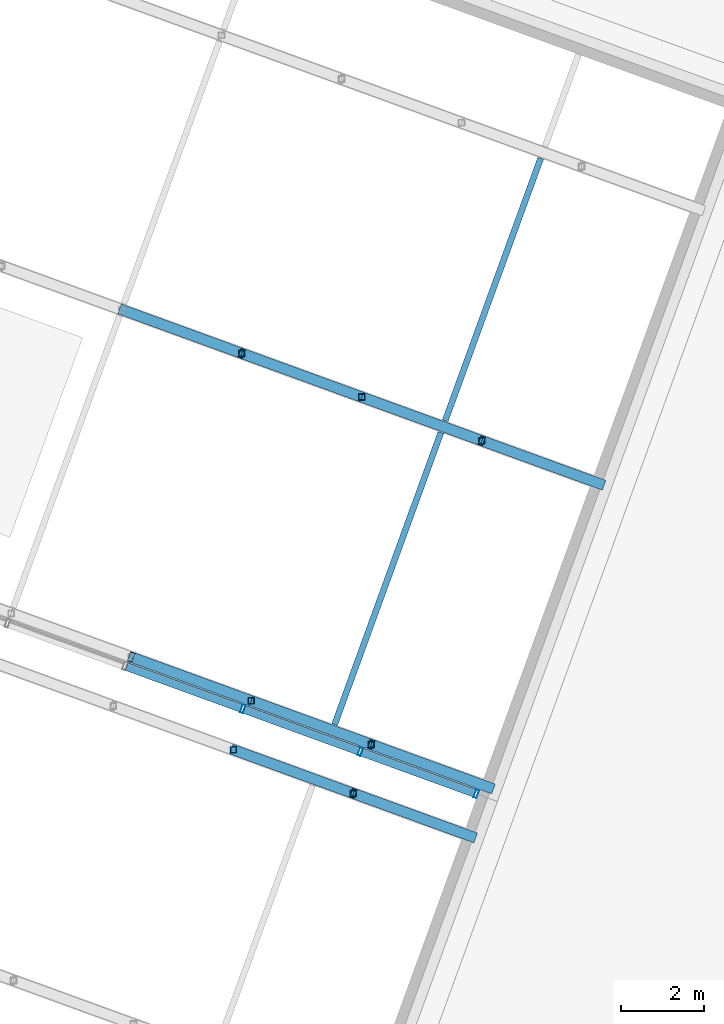
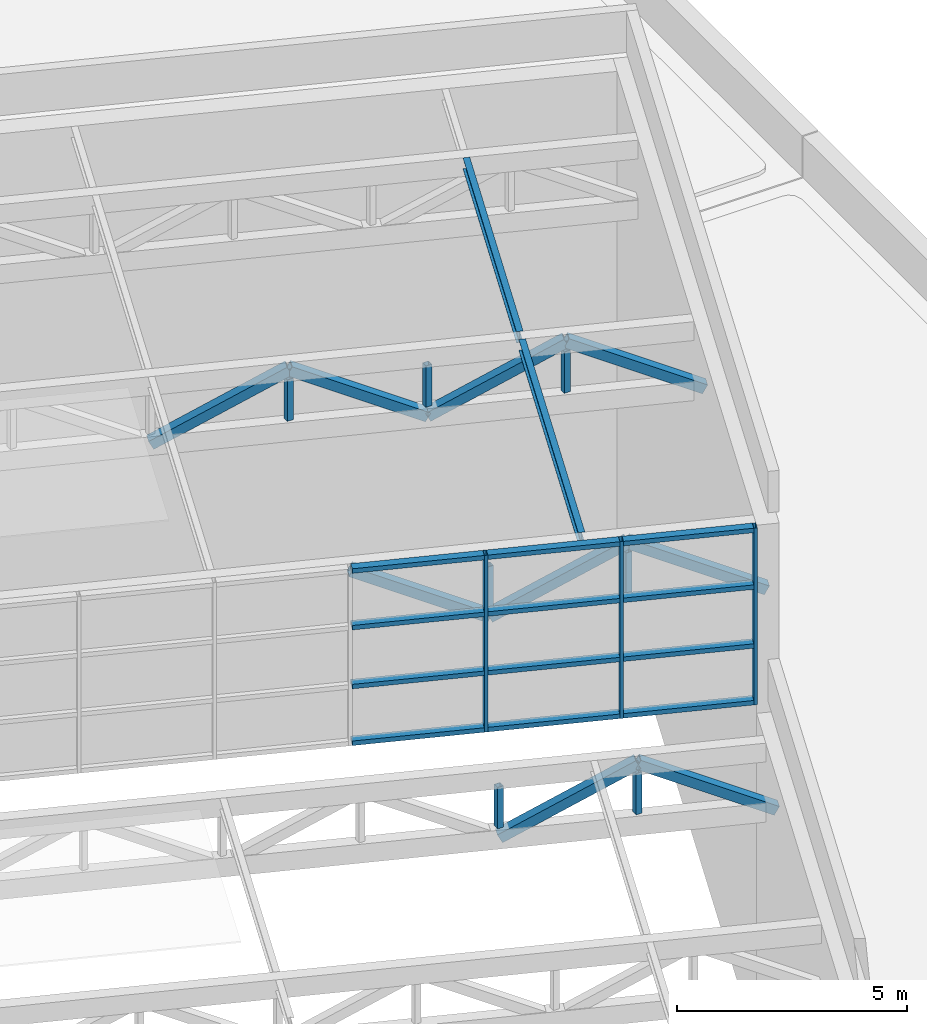
# One storey, part 40 of 72: 33 members, 1 element without a shape of its own.
"""IFC4 building model written with IfcOpenShell, lengths in metres."""

from ifc_helpers import new_model, si_unit, direction, frame, origin, origin_2d, place, context, subcontext, project, spatial, hollow_rectangle, i_section, extrude, material, layer, layer_set, material_profile, profile_set, type_object, element, aggregate, save


model = new_model("IFC4")

# Units and contexts
model_context = context("Model", 3, precision=1e-05, world=origin(), true_north=direction((0.0, 1.0)))
body_context = subcontext(model_context, "Body", "Model", "MODEL_VIEW")
ifc_project = project(units=[si_unit("LENGTHUNIT", "METRE"), si_unit("AREAUNIT", "SQUARE_METRE"), si_unit("VOLUMEUNIT", "CUBIC_METRE"), si_unit("PLANEANGLEUNIT", "RADIAN"), si_unit("MASSUNIT", "GRAM", prefix="KILO")], contexts=[model_context])

# Site, building, storey
site_placement = place(None, origin())
site = spatial("IfcSite", under=ifc_project, at=site_placement, CompositionType="ELEMENT")
building_placement = place(site_placement, origin())
building = spatial("IfcBuilding", under=site, at=building_placement, Name="Nzadi Deep Aquarium and Research Tower", CompositionType="ELEMENT")
storey_placement = place(building_placement, frame((0.0, 0.0, 31.89990234375)))
storey = spatial("IfcBuildingStorey", under=building, at=storey_placement, Name="L05", CompositionType="ELEMENT", Elevation=31.89990234375)

# Members
ifc_material_1 = material(Name="Steel S355", Category="steel")
ifc_material_profile_1 = material_profile(ifc_material_1, i_section(OverallWidth=0.14990234375, OverallDepth=0.300048828125, WebThickness=0.007080078125, FlangeThickness=0.0107421875, FilletRadius=0.014892578125, at=origin_2d()))
ifc_profile_set_1 = profile_set([ifc_material_profile_1], Name="Steel S355")
member_type_1 = type_object("IfcMemberType", Name="IPE 300", PredefinedType="PURLIN", material=ifc_profile_set_1)
member_1_placement = place(storey_placement, frame((36.642333984375, 67.771240234375, 13.650146484375), z_axis=(0.342024586087, 0.939691003741, 0.0), x_axis=(-0.939691003741, 0.342024586087, 0.0)))
element("IfcMember", 1, at=member_1_placement, inside=storey, type_object=member_type_1, Name="MB-PR-R2-PU3-1", PredefinedType="PURLIN", context=body_context, shape_type="SweptSolid", body=[
    extrude(i_section(OverallWidth=0.14990234375, OverallDepth=0.300048828125, WebThickness=0.007080078125, FlangeThickness=0.0107421875, FilletRadius=0.014892578125, at=origin_2d()), origin(), (0.0, 0.0, 1.0), 7.449951171875),
])
member_2_placement = place(storey_placement, frame((39.29296875, 75.053955078125, 13.650146484375), z_axis=(0.342018071111, 0.939693375008, 0.0), x_axis=(-0.939693375008, 0.342018071111, 0.0)))
element("IfcMember", 2, at=member_2_placement, inside=storey, type_object=member_type_1, Name="MB-PR-R2-PU3-2", PredefinedType="PURLIN", context=body_context, shape_type="SweptSolid", body=[
    extrude(i_section(OverallWidth=0.14990234375, OverallDepth=0.300048828125, WebThickness=0.007080078125, FlangeThickness=0.0107421875, FilletRadius=0.014892578125, at=origin_2d()), origin(), (0.0, 0.0, 1.0), 6.699951171875),
])

# Curtain wall, members
ifc_material_2 = material(Name="Aluminium glazing frame tall", Category="aluminium")
ifc_layer = layer(ifc_material_2, 0.199951171875)
ifc_layer_set = layer_set([ifc_layer], Name="Aluminium glazing frame tall")
curtain_wall_type = type_object("IfcCurtainWallType", Name="Curtain wall Clerestory Tall 200", PredefinedType="NOTDEFINED", material=ifc_layer_set)
curtain_wall_placement = place(storey_placement, origin())
curtain_wall = element("IfcCurtainWall", 3, at=curtain_wall_placement, inside=storey, type_object=curtain_wall_type, Name="Prism clerestory glazing", PredefinedType="NOTDEFINED")
ifc_material_3 = material(Name="Aluminium glazing frame tall", Category="aluminium")
ifc_material_profile_2 = material_profile(ifc_material_3, hollow_rectangle(XDim=0.199951171875, YDim=0.080078125, WallThickness=0.0048828125, at=origin_2d()))
ifc_profile_set_2 = profile_set([ifc_material_profile_2], Name="Aluminium glazing frame tall")
member_type_2 = type_object("IfcMemberType", Name="Mullion 80x200 Clerestory Tall", PredefinedType="MULLION", material=ifc_profile_set_2)
member_3_placement = place(storey_placement, frame((34.438232421875, 68.14794921875, 9.10009765625), z_axis=(0.0, 0.0, 1.0), x_axis=(0.342020143326, 0.939692620786, 0.0)))
member_3 = element("IfcMember", 4, at=member_3_placement, type_object=member_type_2, Name="CW257 mullion 7", PredefinedType="MULLION", context=body_context, shape_type="SweptSolid", body=[
    extrude(hollow_rectangle(XDim=0.199951171875, YDim=0.080078125, WallThickness=0.0048828125, at=origin_2d()), origin(), (0.0, 0.0, 1.0), 4.699951171875),
])
member_4_placement = place(storey_placement, frame((37.25732421875, 67.121826171875, 9.10009765625), z_axis=(0.0, 0.0, 1.0), x_axis=(0.342020143326, 0.939692620786, 0.0)))
member_4 = element("IfcMember", 5, at=member_4_placement, type_object=member_type_2, Name="CW257 mullion 8", PredefinedType="MULLION", context=body_context, shape_type="SweptSolid", body=[
    extrude(hollow_rectangle(XDim=0.199951171875, YDim=0.080078125, WallThickness=0.0048828125, at=origin_2d()), origin(), (0.0, 0.0, 1.0), 4.699951171875),
])
member_5_placement = place(storey_placement, frame((40.038818359375, 66.109375, 9.10009765625), z_axis=(0.0, 0.0, 1.0), x_axis=(0.342020143326, 0.939692620786, 0.0)))
member_5 = element("IfcMember", 6, at=member_5_placement, type_object=member_type_2, Name="CW257 mullion 9", PredefinedType="MULLION", context=body_context, shape_type="SweptSolid", body=[
    extrude(hollow_rectangle(XDim=0.199951171875, YDim=0.080078125, WallThickness=0.0048828125, at=origin_2d()), origin(), (0.0, 0.0, 1.0), 4.699951171875),
])

# Members
ifc_material_4 = material(Name="Steel S355", Category="steel")
ifc_material_profile_3 = material_profile(ifc_material_4, hollow_rectangle(XDim=0.14990234375, YDim=0.14990234375, WallThickness=0.008056640625, at=origin_2d()))
ifc_profile_set_3 = profile_set([ifc_material_profile_3], Name="Steel S355")
member_type_3 = type_object("IfcMemberType", Name="RHS 150x150x8 post 2", PredefinedType="POST", material=ifc_profile_set_3)
for number, where, z_axis, x_axis, name in (
    (7, (34.213623046875, 67.16552734375, 7.2001953125), (0.0, 0.0, 1.0), (1.0, 0.0, 0.0), "MB-PR-R1-T3-V6"),
    (8, (37.09130859375, 66.117919921875, 7.2001953125), (0.0, 0.0, 1.0), (1.0, 0.0, 0.0), "MB-PR-R1-T3-V7"),
    (9, (34.64111328125, 68.340087890625, 12.2001953125), (0.0, 0.0, 1.0), (1.0, 0.0, 0.0), "MB-PR-R2-T1-V6"),
    (10, (37.51904296875, 67.292724609375, 12.2001953125), (0.0, 0.0, 1.0), (1.0, 0.0, 0.0), "MB-PR-R2-T1-V7"),
    (11, (34.4140625, 76.670166015625, 12.2001953125), (0.0, 0.0, 1.0), (1.0, 0.0, 0.0), "MB-PR-R2-T2-V5"),
    (12, (37.291748046875, 75.62255859375, 12.2001953125), (0.0, 0.0, 1.0), (1.0, 0.0, 0.0), "MB-PR-R2-T2-V6"),
    (13, (40.169677734375, 74.5751953125, 12.2001953125), (0.0, 0.0, 1.0), (1.0, 0.0, 0.0), "MB-PR-R2-T2-V7"),
):
    element("IfcMember", number, at=place(storey_placement, frame(where, z_axis=z_axis, x_axis=x_axis)), inside=storey, type_object=member_type_3, Name=name, PredefinedType="POST", context=body_context, shape_type="SweptSolid", body=[
        extrude(hollow_rectangle(XDim=0.14990234375, YDim=0.14990234375, WallThickness=0.008056640625, at=origin_2d()), origin(), (0.0, 0.0, 1.0), 1.099853515625),
    ])
ifc_material_5 = material(Name="Steel S355", Category="steel")
ifc_material_profile_4 = material_profile(ifc_material_5, hollow_rectangle(XDim=0.25, YDim=0.25, WallThickness=0.01611328125, at=origin_2d()))
ifc_profile_set_4 = profile_set([ifc_material_profile_4], Name="Steel S355")
member_type_4 = type_object("IfcMemberType", Name="RHS 250x250x16 brace", PredefinedType="BRACE", material=ifc_profile_set_4)
member_6_placement = place(storey_placement, frame((34.213623046875, 67.16552734375, 6.9501953125), z_axis=(0.832867607406, -0.303201400134, 0.463033972286), x_axis=(0.342082290984, 0.939669998561, 0.0)))
element("IfcMember", 14, at=member_6_placement, inside=storey, type_object=member_type_4, Name="MB-PR-R1-T3-D7", PredefinedType="BRACE", context=body_context, shape_type="SweptSolid", body=[
    extrude(hollow_rectangle(XDim=0.25, YDim=0.25, WallThickness=0.01611328125, at=origin_2d()), origin(), (0.0, 0.0, 1.0), 3.455078125),
])
member_7_placement = place(storey_placement, frame((37.09130859375, 66.117919921875, 8.550048828125), z_axis=(0.832907091186, -0.3031193944, -0.463016641376), x_axis=(0.341986276019, 0.939704946786, 0.0)))
element("IfcMember", 15, at=member_7_placement, inside=storey, type_object=member_type_4, Name="MB-PR-R1-T3-D8", PredefinedType="BRACE", context=body_context, shape_type="SweptSolid", body=[
    extrude(hollow_rectangle(XDim=0.25, YDim=0.25, WallThickness=0.01611328125, at=origin_2d()), origin(), (0.0, 0.0, 1.0), 3.455322265625),
])
member_8_placement = place(storey_placement, frame((31.763427734375, 69.387451171875, 13.550048828125), z_axis=(0.832885449393, -0.303137234062, -0.463043891564), x_axis=(0.342011896186, 0.939695622458, 0.0)))
element("IfcMember", 16, at=member_8_placement, inside=storey, type_object=member_type_4, Name="MB-PR-R2-T1-D6", PredefinedType="BRACE", context=body_context, shape_type="SweptSolid", body=[
    extrude(hollow_rectangle(XDim=0.25, YDim=0.25, WallThickness=0.01611328125, at=origin_2d()), origin(), (0.0, 0.0, 1.0), 3.455078125),
])
member_9_placement = place(storey_placement, frame((34.64111328125, 68.340087890625, 11.9501953125), z_axis=(0.832907091186, -0.3031193944, 0.463016641376), x_axis=(0.341986276019, 0.939704946786, 0.0)))
element("IfcMember", 17, at=member_9_placement, inside=storey, type_object=member_type_4, Name="MB-PR-R2-T1-D7", PredefinedType="BRACE", context=body_context, shape_type="SweptSolid", body=[
    extrude(hollow_rectangle(XDim=0.25, YDim=0.25, WallThickness=0.01611328125, at=origin_2d()), origin(), (0.0, 0.0, 1.0), 3.455322265625),
])
member_10_placement = place(storey_placement, frame((37.51904296875, 67.292724609375, 13.550048828125), z_axis=(0.832867607406, -0.303201400134, -0.463033972286), x_axis=(0.342082290984, 0.939669998561, 0.0)))
element("IfcMember", 18, at=member_10_placement, inside=storey, type_object=member_type_4, Name="MB-PR-R2-T1-D8", PredefinedType="BRACE", context=body_context, shape_type="SweptSolid", body=[
    extrude(hollow_rectangle(XDim=0.25, YDim=0.25, WallThickness=0.01611328125, at=origin_2d()), origin(), (0.0, 0.0, 1.0), 3.455078125),
])
member_11_placement = place(storey_placement, frame((31.5361328125, 77.717529296875, 11.9501953125), z_axis=(0.832907091186, -0.3031193944, 0.463016641376), x_axis=(0.341986276019, 0.939704946786, 0.0)))
element("IfcMember", 19, at=member_11_placement, inside=storey, type_object=member_type_4, Name="MB-PR-R2-T2-D5", PredefinedType="BRACE", context=body_context, shape_type="SweptSolid", body=[
    extrude(hollow_rectangle(XDim=0.25, YDim=0.25, WallThickness=0.01611328125, at=origin_2d()), origin(), (0.0, 0.0, 1.0), 3.455322265625),
])
member_12_placement = place(storey_placement, frame((34.4140625, 76.670166015625, 13.550048828125), z_axis=(0.832867607406, -0.303201400134, -0.463033972286), x_axis=(0.342082290984, 0.939669998561, 0.0)))
element("IfcMember", 20, at=member_12_placement, inside=storey, type_object=member_type_4, Name="MB-PR-R2-T2-D6", PredefinedType="BRACE", context=body_context, shape_type="SweptSolid", body=[
    extrude(hollow_rectangle(XDim=0.25, YDim=0.25, WallThickness=0.01611328125, at=origin_2d()), origin(), (0.0, 0.0, 1.0), 3.455078125),
])
member_13_placement = place(storey_placement, frame((37.291748046875, 75.62255859375, 11.9501953125), z_axis=(0.832907091186, -0.3031193944, 0.463016641376), x_axis=(0.341986276019, 0.939704946786, 0.0)))
element("IfcMember", 21, at=member_13_placement, inside=storey, type_object=member_type_4, Name="MB-PR-R2-T2-D7", PredefinedType="BRACE", context=body_context, shape_type="SweptSolid", body=[
    extrude(hollow_rectangle(XDim=0.25, YDim=0.25, WallThickness=0.01611328125, at=origin_2d()), origin(), (0.0, 0.0, 1.0), 3.455322265625),
])
member_14_placement = place(storey_placement, frame((40.169677734375, 74.5751953125, 13.550048828125), z_axis=(0.832885449393, -0.303137234062, -0.463043891564), x_axis=(0.342011896186, 0.939695622458, 0.0)))
element("IfcMember", 22, at=member_14_placement, inside=storey, type_object=member_type_4, Name="MB-PR-R2-T2-D8", PredefinedType="BRACE", context=body_context, shape_type="SweptSolid", body=[
    extrude(hollow_rectangle(XDim=0.25, YDim=0.25, WallThickness=0.01611328125, at=origin_2d()), origin(), (0.0, 0.0, 1.0), 3.455078125),
])

# Member
ifc_material_6 = material(Name="Aluminium glazing frame tall", Category="aluminium")
ifc_material_profile_5 = material_profile(ifc_material_6, hollow_rectangle(XDim=0.199951171875, YDim=0.1201171875, WallThickness=0.0048828125, at=origin_2d()))
ifc_profile_set_5 = profile_set([ifc_material_profile_5], Name="Aluminium glazing frame tall")
member_type_5 = type_object("IfcMemberType", Name="Transom 120x200 Clerestory Tall", PredefinedType="MULLION", material=ifc_profile_set_5)
member_15_placement = place(storey_placement, frame((31.65673828125, 69.16015625, 9.16015625), z_axis=(0.939710394507, -0.34197130648, 0.0), x_axis=(0.34197130648, 0.939710394507, 0.0)))
member_15 = element("IfcMember", 23, at=member_15_placement, type_object=member_type_5, Name="CW257 transom 6.1", PredefinedType="MULLION", context=body_context, shape_type="SweptSolid", body=[
    extrude(hollow_rectangle(XDim=0.199951171875, YDim=0.1201171875, WallThickness=0.0048828125, at=origin_2d()), origin(), (0.0, 0.0, 1.0), 2.919921875),
])

member_16_placement = place(storey_placement, frame((31.65673828125, 69.16015625, 10.6669921875), z_axis=(0.939710394507, -0.34197130648, 0.0), x_axis=(0.34197130648, 0.939710394507, 0.0)))
member_16 = element("IfcMember", 24, at=member_16_placement, type_object=member_type_5, Name="CW257 transom 6.2", PredefinedType="MULLION", context=body_context, shape_type="SweptSolid", body=[
    extrude(hollow_rectangle(XDim=0.199951171875, YDim=0.1201171875, WallThickness=0.0048828125, at=origin_2d()), origin(), (0.0, 0.0, 1.0), 2.919921875),
])

member_17_placement = place(storey_placement, frame((31.65673828125, 69.16015625, 12.233154296875), z_axis=(0.939710394507, -0.34197130648, 0.0), x_axis=(0.34197130648, 0.939710394507, 0.0)))
member_17 = element("IfcMember", 25, at=member_17_placement, type_object=member_type_5, Name="CW257 transom 6.3", PredefinedType="MULLION", context=body_context, shape_type="SweptSolid", body=[
    extrude(hollow_rectangle(XDim=0.199951171875, YDim=0.1201171875, WallThickness=0.0048828125, at=origin_2d()), origin(), (0.0, 0.0, 1.0), 2.919921875),
])

member_18_placement = place(storey_placement, frame((31.65673828125, 69.16015625, 13.739990234375), z_axis=(0.939710394507, -0.34197130648, 0.0), x_axis=(0.34197130648, 0.939710394507, 0.0)))
member_18 = element("IfcMember", 26, at=member_18_placement, type_object=member_type_5, Name="CW257 transom 6.4", PredefinedType="MULLION", context=body_context, shape_type="SweptSolid", body=[
    extrude(hollow_rectangle(XDim=0.199951171875, YDim=0.1201171875, WallThickness=0.0048828125, at=origin_2d()), origin(), (0.0, 0.0, 1.0), 2.919921875),
])

member_19_placement = place(storey_placement, frame((34.475830078125, 68.13427734375, 9.16015625), z_axis=(0.939683523464, -0.342045136978, 0.0), x_axis=(0.342045136978, 0.939683523464, 0.0)))
member_19 = element("IfcMember", 27, at=member_19_placement, type_object=member_type_5, Name="CW257 transom 7.1", PredefinedType="MULLION", context=body_context, shape_type="SweptSolid", body=[
    extrude(hollow_rectangle(XDim=0.199951171875, YDim=0.1201171875, WallThickness=0.0048828125, at=origin_2d()), origin(), (0.0, 0.0, 1.0), 2.919921875),
])

member_20_placement = place(storey_placement, frame((34.475830078125, 68.13427734375, 10.6669921875), z_axis=(0.939683523464, -0.342045136978, 0.0), x_axis=(0.342045136978, 0.939683523464, 0.0)))
member_20 = element("IfcMember", 28, at=member_20_placement, type_object=member_type_5, Name="CW257 transom 7.2", PredefinedType="MULLION", context=body_context, shape_type="SweptSolid", body=[
    extrude(hollow_rectangle(XDim=0.199951171875, YDim=0.1201171875, WallThickness=0.0048828125, at=origin_2d()), origin(), (0.0, 0.0, 1.0), 2.919921875),
])

member_21_placement = place(storey_placement, frame((34.475830078125, 68.13427734375, 12.233154296875), z_axis=(0.939683523464, -0.342045136978, 0.0), x_axis=(0.342045136978, 0.939683523464, 0.0)))
member_21 = element("IfcMember", 29, at=member_21_placement, type_object=member_type_5, Name="CW257 transom 7.3", PredefinedType="MULLION", context=body_context, shape_type="SweptSolid", body=[
    extrude(hollow_rectangle(XDim=0.199951171875, YDim=0.1201171875, WallThickness=0.0048828125, at=origin_2d()), origin(), (0.0, 0.0, 1.0), 2.919921875),
])

member_22_placement = place(storey_placement, frame((34.475830078125, 68.13427734375, 13.739990234375), z_axis=(0.939683523464, -0.342045136978, 0.0), x_axis=(0.342045136978, 0.939683523464, 0.0)))
member_22 = element("IfcMember", 30, at=member_22_placement, type_object=member_type_5, Name="CW257 transom 7.4", PredefinedType="MULLION", context=body_context, shape_type="SweptSolid", body=[
    extrude(hollow_rectangle(XDim=0.199951171875, YDim=0.1201171875, WallThickness=0.0048828125, at=origin_2d()), origin(), (0.0, 0.0, 1.0), 2.919921875),
])

member_23_placement = place(storey_placement, frame((37.294921875, 67.108154296875, 9.16015625), z_axis=(0.939681996159, -0.342049332837, 0.0), x_axis=(0.342049332837, 0.939681996159, 0.0)))
member_23 = element("IfcMember", 31, at=member_23_placement, type_object=member_type_5, Name="CW257 transom 8.1", PredefinedType="MULLION", context=body_context, shape_type="SweptSolid", body=[
    extrude(hollow_rectangle(XDim=0.199951171875, YDim=0.1201171875, WallThickness=0.0048828125, at=origin_2d()), origin(), (0.0, 0.0, 1.0), 2.880126953125),
])

member_24_placement = place(storey_placement, frame((37.294921875, 67.108154296875, 10.6669921875), z_axis=(0.939681996159, -0.342049332837, 0.0), x_axis=(0.342049332837, 0.939681996159, 0.0)))
member_24 = element("IfcMember", 32, at=member_24_placement, type_object=member_type_5, Name="CW257 transom 8.2", PredefinedType="MULLION", context=body_context, shape_type="SweptSolid", body=[
    extrude(hollow_rectangle(XDim=0.199951171875, YDim=0.1201171875, WallThickness=0.0048828125, at=origin_2d()), origin(), (0.0, 0.0, 1.0), 2.880126953125),
])

member_25_placement = place(storey_placement, frame((37.294921875, 67.108154296875, 12.233154296875), z_axis=(0.939681996159, -0.342049332837, 0.0), x_axis=(0.342049332837, 0.939681996159, 0.0)))
member_25 = element("IfcMember", 33, at=member_25_placement, type_object=member_type_5, Name="CW257 transom 8.3", PredefinedType="MULLION", context=body_context, shape_type="SweptSolid", body=[
    extrude(hollow_rectangle(XDim=0.199951171875, YDim=0.1201171875, WallThickness=0.0048828125, at=origin_2d()), origin(), (0.0, 0.0, 1.0), 2.880126953125),
])

member_26_placement = place(storey_placement, frame((37.294921875, 67.108154296875, 13.739990234375), z_axis=(0.939681996159, -0.342049332837, 0.0), x_axis=(0.342049332837, 0.939681996159, 0.0)))
member_26 = element("IfcMember", 34, at=member_26_placement, type_object=member_type_5, Name="CW257 transom 8.4", PredefinedType="MULLION", context=body_context, shape_type="SweptSolid", body=[
    extrude(hollow_rectangle(XDim=0.199951171875, YDim=0.1201171875, WallThickness=0.0048828125, at=origin_2d()), origin(), (0.0, 0.0, 1.0), 2.880126953125),
])

aggregate(curtain_wall, [member_3, member_4, member_5, member_15, member_16, member_17, member_18, member_19, member_20, member_21, member_22, member_23, member_24, member_25, member_26])

save(model, "model.ifc")
